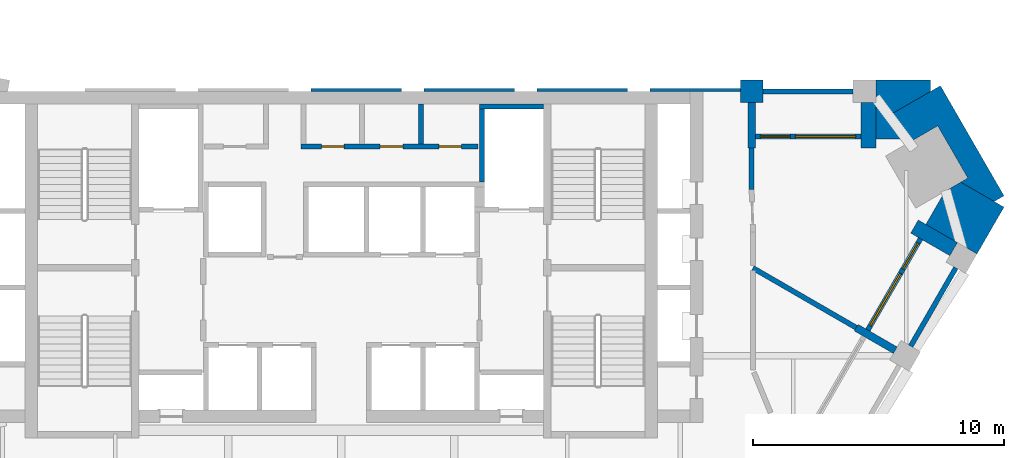
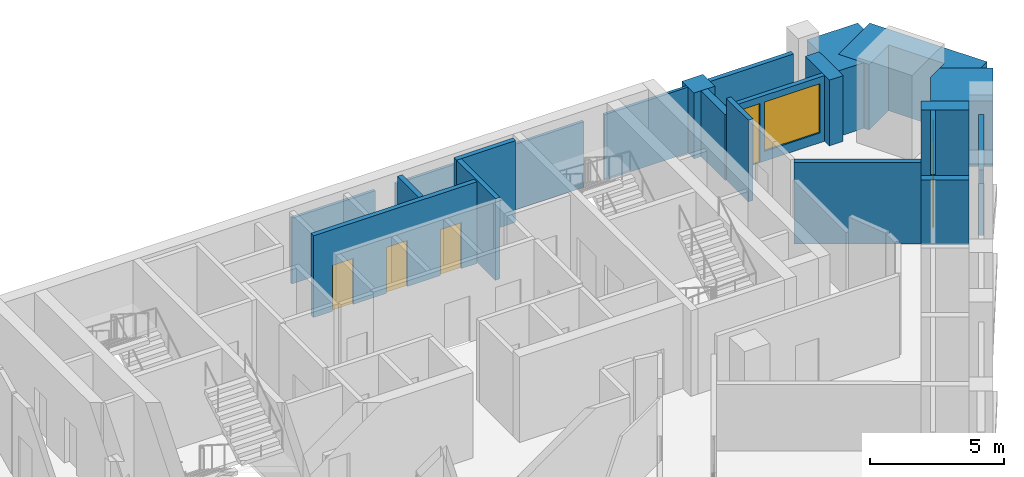
# One storey, part 7 of 9: 22 walls, 5 doors, 2 windows, 7 openings.
"""IFC4 building model written with IfcOpenShell, lengths in metres."""

from ifc_helpers import new_model, si_unit, direction, frame, frame_2d, origin, place, context, subcontext, project, spatial, polyline, rectangle, outline, extrude, material, layer, layer_set, type_object, element, fill, save


model = new_model("IFC4")

# Units and contexts
model_context = context("Model", 3, precision=1e-05, world=origin(), true_north=direction((0.0, 1.0)))
body_context = subcontext(model_context, "Body", "Model", "MODEL_VIEW")
ifc_project = project(units=[si_unit("LENGTHUNIT", "METRE"), si_unit("AREAUNIT", "SQUARE_METRE"), si_unit("VOLUMEUNIT", "CUBIC_METRE"), si_unit("PLANEANGLEUNIT", "RADIAN"), si_unit("MASSUNIT", "GRAM", prefix="KILO")], contexts=[model_context])

# Site, building, storey
site_placement = place(None, origin())
site = spatial("IfcSite", under=ifc_project, at=site_placement, CompositionType="ELEMENT")
building_placement = place(site_placement, origin())
building = spatial("IfcBuilding", under=site, at=building_placement, Name="Calabash Gate Tower", CompositionType="ELEMENT")
storey_placement = place(building_placement, frame((0.0, 0.0, 219.800048828125)))
storey = spatial("IfcBuildingStorey", under=building, at=storey_placement, Name="L52", CompositionType="ELEMENT", Elevation=219.800048828125)

# Walls
ifc_material_1 = material(Name="Terracotta brick masonry, exposed face", Category="masonry")
ifc_layer_1 = layer(ifc_material_1, 2.35009765625)
ifc_layer_set_1 = layer_set([ifc_layer_1], Name="Brick corner mass wall 2350")
wall_type_1 = type_object("IfcWallType", Name="Brick corner mass wall 2350", PredefinedType="SOLIDWALL", material=ifc_layer_set_1)
wall_1_placement = place(storey_placement, origin())
element("IfcWall", 1, at=wall_1_placement, inside=storey, type_object=wall_type_1, Name="Brick corner pier S15 3a", PredefinedType="SOLIDWALL", context=body_context, shape_type="SweptSolid", body=[
    extrude(outline(polyline([(23.288818359375, 13.752685546875), (25.323974609375, 12.57763671875), (26.400390625, 14.442138671875), (24.678466796875, 15.43603515625), (24.052001953125, 15.074462890625), (23.288818359375, 13.752685546875)])), origin(), (0.0, 0.0, 1.0), 3.0),
])
wall_2_placement = place(storey_placement, origin())
element("IfcWall", 2, at=wall_2_placement, inside=storey, type_object=wall_type_1, Name="Brick corner pier S15 3b", PredefinedType="SOLIDWALL", context=body_context, shape_type="SweptSolid", body=[
    extrude(outline(polyline([(23.76025390625, 17.67724609375), (24.960205078125, 15.598876953125), (24.678466796875, 15.43603515625), (26.0107421875, 14.6669921875), (26.400390625, 14.89208984375), (23.868408203125, 19.277587890625), (21.833251953125, 18.1025390625), (22.499267578125, 16.94921875), (23.76025390625, 17.67724609375)])), origin(), (0.0, 0.0, 1.0), 3.0),
])
wall_3_placement = place(storey_placement, origin())
element("IfcWall", 3, at=wall_3_placement, inside=storey, type_object=wall_type_1, Name="Brick corner pier S15 3c", PredefinedType="SOLIDWALL", context=body_context, shape_type="SweptSolid", body=[
    extrude(outline(polyline([(21.2939453125, 18.60302734375), (21.2939453125, 17.152587890625), (22.3818359375, 17.152587890625), (21.833251953125, 18.1025390625), (23.478759765625, 19.052490234375), (23.478759765625, 19.50244140625), (21.2939453125, 19.50244140625), (21.2939453125, 18.60302734375), (21.2939453125, 18.60302734375)])), origin(), (0.0, 0.0, 1.0), 3.0),
])
ifc_material_2 = material(Name="Terracotta brick masonry, exposed face", Category="masonry")
ifc_layer_2 = layer(ifc_material_2, 0.89990234375)
ifc_layer_set_2 = layer_set([ifc_layer_2], Name="Brick end wall 900")
wall_type_2 = type_object("IfcWallType", Name="Brick end wall 900", PredefinedType="SOLIDWALL", material=ifc_layer_set_2)
wall_4_placement = place(storey_placement, origin())
element("IfcWall", 4, at=wall_4_placement, inside=storey, type_object=wall_type_2, Name="Brick pier S15 N4.1", PredefinedType="SOLIDWALL", context=body_context, shape_type="SweptSolid", body=[
    extrude(outline(polyline([(16.7939453125, 19.50244140625), (15.893798828125, 19.50244140625), (15.893798828125, 18.6025390625), (16.7939453125, 18.6025390625), (16.7939453125, 19.50244140625)])), origin(), (0.0, 0.0, 1.0), 3.0),
])
ifc_material_3 = material(Name="Terracotta brick masonry, exposed face", Category="masonry")
ifc_layer_3 = layer(ifc_material_3, 0.300048828125)
ifc_layer_set_3 = layer_set([ifc_layer_3], Name="Brick loggia cheek wall 300")
wall_type_3 = type_object("IfcWallType", Name="Brick loggia cheek wall 300", PredefinedType="SOLIDWALL", material=ifc_layer_set_3)
wall_5_placement = place(storey_placement, frame((22.0693359375, 8.740966796875, 0.0), z_axis=(0.0, 0.0, 1.0), x_axis=(-0.866013897511, 0.50001992892, 0.0)))
element("IfcWall", 5, at=wall_5_placement, inside=storey, type_object=wall_type_3, Name="Loggia cheek S15 SE2.8", PredefinedType="SOLIDWALL", context=body_context, shape_type="SweptSolid", body=[
    extrude(rectangle(XDim=1.7998046875, YDim=0.300048828125, at=frame_2d((0.89990234375, 0.0))), origin(), (0.0, 0.0, 1.0), 2.949951171875),
])
wall_6_placement = place(storey_placement, frame((24.39453125, 12.767822265625, 0.0), z_axis=(0.0, 0.0, 1.0), x_axis=(-0.866047807691, 0.499961193289, 0.0)))
element("IfcWall", 6, at=wall_6_placement, inside=storey, type_object=wall_type_3, Name="Loggia cheek S15 SE2.9", PredefinedType="SOLIDWALL", context=body_context, shape_type="SweptSolid", body=[
    extrude(rectangle(XDim=1.800048828125, YDim=0.60009765625, at=frame_2d((0.89990234375, 0.0))), origin(), (0.0, 0.0, 1.0), 3.0),
])
wall_7_placement = place(storey_placement, origin())
element("IfcWall", 7, at=wall_7_placement, inside=storey, type_object=wall_type_3, Name="Loggia cheek S15 N4.0", PredefinedType="SOLIDWALL", context=body_context, shape_type="SweptSolid", body=[
    extrude(outline(polyline([(21.2939453125, 16.802490234375), (21.2939453125, 18.6025390625), (20.69384765625, 18.6025390625), (20.69384765625, 16.802490234375), (21.2939453125, 16.802490234375)])), origin(), (0.0, 0.0, 1.0), 3.0),
])
wall_8_placement = place(storey_placement, origin())
element("IfcWall", 8, at=wall_8_placement, inside=storey, type_object=wall_type_3, Name="Loggia cheek S15 N4.1", PredefinedType="SOLIDWALL", context=body_context, shape_type="SweptSolid", body=[
    extrude(outline(polyline([(16.19384765625, 18.6025390625), (16.19384765625, 16.802490234375), (16.493896484375, 16.802490234375), (16.493896484375, 18.6025390625), (16.19384765625, 18.6025390625)])), origin(), (0.0, 0.0, 1.0), 3.0),
])
ifc_material_4 = material(Name="Gypsum board on steel studs, mineral wool", Category="steel")
ifc_layer_4 = layer(ifc_material_4, 0.199951171875)
ifc_layer_set_4 = layer_set([ifc_layer_4], Name="Core partition 200 gypsum board")
wall_type_4 = type_object("IfcWallType", Name="Core partition 200 gypsum board", PredefinedType="PARTITIONING", material=ifc_layer_set_4)
wall_9_placement = place(storey_placement, frame((3.166748046875, 16.95263671875, 0.0), z_axis=(0.0, 0.0, 1.0), x_axis=(0.0, 1.0, 0.0)))
element("IfcWall", 9, at=wall_9_placement, inside=storey, type_object=wall_type_4, Name="Core partition", PredefinedType="PARTITIONING", context=body_context, shape_type="SweptSolid", body=[
    extrude(rectangle(XDim=1.599853515625, YDim=0.199951171875, at=frame_2d((0.7998046875, 0.0))), origin(), (0.0, 0.0, 1.0), 3.72998046875),
])
ifc_material_5 = material(Name="Gypsum board on steel studs, mineral wool", Category="steel")
ifc_layer_5 = layer(ifc_material_5, 0.199951171875)
ifc_layer_set_5 = layer_set([ifc_layer_5], Name="Partition 200 gypsum board EI 60")
wall_type_5 = type_object("IfcWallType", Name="Partition 200 gypsum board EI 60", PredefinedType="PARTITIONING", material=ifc_layer_set_5)
wall_10_placement = place(storey_placement, frame((16.400634765625, 12.015869140625, 0.0), z_axis=(0.0, 0.0, 1.0), x_axis=(0.865862597781, -0.500281882306, 0.0)))
element("IfcWall", 10, at=wall_10_placement, inside=storey, type_object=wall_type_5, Name="Partition", PredefinedType="PARTITIONING", context=body_context, shape_type="SweptSolid", body=[
    extrude(rectangle(XDim=4.746826171875, YDim=0.199951171875, at=frame_2d((2.37353515625, 0.0))), origin(), (0.0, 0.0, 1.0), 3.72998046875),
])
wall_11_placement = place(storey_placement, frame((16.344482421875, 15.152587890625, 0.0), z_axis=(0.0, 0.0, 1.0), x_axis=(0.0, 1.0, 0.0)))
element("IfcWall", 11, at=wall_11_placement, inside=storey, type_object=wall_type_5, Name="Partition", PredefinedType="PARTITIONING", context=body_context, shape_type="SweptSolid", body=[
    extrude(rectangle(XDim=1.64990234375, YDim=0.199951171875, at=frame_2d((0.824951171875, 0.0))), origin(), (0.0, 0.0, 1.0), 3.72998046875),
])
ifc_material_6 = material(Name="Concrete C40/50", Category="concrete")
ifc_layer_6 = layer(ifc_material_6, 0.199951171875)
ifc_layer_set_6 = layer_set([ifc_layer_6], Name="Shaft wall 200 Concrete C40/50")
wall_type_6 = type_object("IfcWallType", Name="Shaft wall 200 Concrete C40/50", PredefinedType="SOLIDWALL", material=ifc_layer_set_6)
wall_12_placement = place(storey_placement, frame((5.60009765625, 15.45263671875, 0.0), z_axis=(0.0, 0.0, 1.0), x_axis=(0.0, 1.0, 0.0)))
element("IfcWall", 12, at=wall_12_placement, inside=storey, type_object=wall_type_6, Name="Shaft wall", PredefinedType="SOLIDWALL", context=body_context, shape_type="SweptSolid", body=[
    extrude(rectangle(XDim=2.89990234375, YDim=0.199951171875, at=frame_2d((1.449951171875, 0.0))), origin(), (0.0, 0.0, 1.0), 3.72998046875),
])

# Wall, openings, doors
wall_13_placement = place(storey_placement, frame((-1.60009765625, 16.8525390625, 0.0), z_axis=(0.0, 0.0, 1.0), x_axis=(1.0, 0.0, 0.0)))
wall_13 = element("IfcWall", 13, at=wall_13_placement, inside=storey, type_object=wall_type_6, Name="Shaft wall", PredefinedType="SOLIDWALL", context=body_context, shape_type="SweptSolid", body=[
    extrude(rectangle(XDim=7.050048828125, YDim=0.199951171875, at=frame_2d((3.52490234375, 0.0))), origin(), (0.0, 0.0, 1.0), 3.72998046875),
])
opening_1_placement = place(wall_13_placement, frame((0.816650390625, 0.0, 0.0)))
opening_1 = element("IfcOpeningElement", 14, at=opening_1_placement, cuts=wall_13, Name="Opening O7-013", PredefinedType="OPENING", context=body_context, shape_type="SweptSolid", body=[
    extrude(rectangle(XDim=0.89990234375, YDim=2.10009765625, at=frame_2d((0.449951171875, 1.050048828125))), frame((0.0, 0.10986328125, 0.0), z_axis=(0.0, -1.0, 0.0), x_axis=(1.0, 0.0, 0.0)), (0.0, 0.0, 1.0), 0.219970703125),
])
opening_2_placement = place(wall_13_placement, frame((3.14990234375, 0.0, 0.0)))
opening_2 = element("IfcOpeningElement", 15, at=opening_2_placement, cuts=wall_13, Name="Opening O7-014", PredefinedType="OPENING", context=body_context, shape_type="SweptSolid", body=[
    extrude(rectangle(XDim=0.89990234375, YDim=2.10009765625, at=frame_2d((0.449951171875, 1.050048828125))), frame((0.0, 0.10986328125, 0.0), z_axis=(0.0, -1.0, 0.0), x_axis=(1.0, 0.0, 0.0)), (0.0, 0.0, 1.0), 0.219970703125),
])
opening_3_placement = place(wall_13_placement, frame((5.4833984375, 0.0, 0.0)))
opening_3 = element("IfcOpeningElement", 16, at=opening_3_placement, cuts=wall_13, Name="Opening O7-015", PredefinedType="OPENING", context=body_context, shape_type="SweptSolid", body=[
    extrude(rectangle(XDim=0.89990234375, YDim=2.10009765625, at=frame_2d((0.449951171875, 1.050048828125))), frame((0.0, 0.10986328125, 0.0), z_axis=(0.0, -1.0, 0.0), x_axis=(1.0, 0.0, 0.0)), (0.0, 0.0, 1.0), 0.219970703125),
])
ifc_material_7 = material(Name="Steel fire door set with fire-resisting glazing", Category="steel")
door_type_1 = type_object("IfcDoorType", Name="Fire door D06 900x2100 FD60", OperationType="NOTDEFINED", PredefinedType="DOOR", material=ifc_material_7)
door_1_placement = place(opening_1_placement, origin())
door_1 = element("IfcDoor", 17, at=door_1_placement, inside=storey, type_object=door_type_1, Name="Cleaner's Store door", OperationType="SINGLE_SWING_LEFT", OverallHeight=2.10009765625, OverallWidth=0.89990234375, PredefinedType="DOOR", context=body_context, shape_type="SweptSolid", body=[
    extrude(rectangle(XDim=0.89990234375, YDim=2.10009765625, at=frame_2d((0.449951171875, 1.050048828125))), frame((0.0, 0.02490234375, 0.0), z_axis=(0.0, -1.0, 0.0), x_axis=(1.0, 0.0, 0.0)), (0.0, 0.0, 1.0), 0.050048828125),
])
fill(opening_1, door_1)
door_2_placement = place(opening_2_placement, origin())
door_2 = element("IfcDoor", 18, at=door_2_placement, inside=storey, type_object=door_type_1, Name="Tenant Pantry door", OperationType="SINGLE_SWING_LEFT", OverallHeight=2.10009765625, OverallWidth=0.89990234375, PredefinedType="DOOR", context=body_context, shape_type="SweptSolid", body=[
    extrude(rectangle(XDim=0.89990234375, YDim=2.10009765625, at=frame_2d((0.449951171875, 1.050048828125))), frame((0.0, 0.02490234375, 0.0), z_axis=(0.0, -1.0, 0.0), x_axis=(1.0, 0.0, 0.0)), (0.0, 0.0, 1.0), 0.050048828125),
])
fill(opening_2, door_2)
door_3_placement = place(opening_3_placement, origin())
door_3 = element("IfcDoor", 19, at=door_3_placement, inside=storey, type_object=door_type_1, Name="Print Room door", OperationType="SINGLE_SWING_RIGHT", OverallHeight=2.10009765625, OverallWidth=0.89990234375, PredefinedType="DOOR", context=body_context, shape_type="SweptSolid", body=[
    extrude(rectangle(XDim=0.89990234375, YDim=2.10009765625, at=frame_2d((0.449951171875, 1.050048828125))), frame((0.0, 0.02490234375, 0.0), z_axis=(0.0, -1.0, 0.0), x_axis=(1.0, 0.0, 0.0)), (0.0, 0.0, 1.0), 0.050048828125),
])
fill(opening_3, door_3)

# Walls
wall_14_placement = place(storey_placement, frame((5.5, 18.45263671875, 0.0), z_axis=(0.0, 0.0, 1.0), x_axis=(1.0, 0.0, 0.0)))
element("IfcWall", 20, at=wall_14_placement, inside=storey, type_object=wall_type_6, Name="Shaft wall", PredefinedType="SOLIDWALL", context=body_context, shape_type="SweptSolid", body=[
    extrude(rectangle(XDim=2.550048828125, YDim=0.199951171875, at=frame_2d((1.27490234375, 0.0))), origin(), (0.0, 0.0, 1.0), 3.72998046875),
])
ifc_material_8 = material(Name="Terracotta brick masonry, perforated", Category="masonry")
ifc_layer_7 = layer(ifc_material_8, 0.1201171875)
ifc_layer_set_7 = layer_set([ifc_layer_7], Name="Terracotta jaali cladding A 120")
wall_type_7 = type_object("IfcWallType", Name="Terracotta jaali cladding A 120", PredefinedType="SOLIDWALL", material=ifc_layer_set_7)
wall_15_placement = place(storey_placement, origin())
element("IfcWall", 21, at=wall_15_placement, inside=storey, type_object=wall_type_7, Name="Jaali cladding S15 N4.3", PredefinedType="SOLIDWALL", context=body_context, shape_type="SweptSolid", body=[
    extrude(outline(polyline([(7.7939453125, 19.172607421875), (7.7939453125, 19.052490234375), (11.393798828125, 19.052490234375), (11.393798828125, 19.172607421875), (7.7939453125, 19.172607421875)])), origin(), (0.0, 0.0, 1.0), 3.0),
])
wall_16_placement = place(storey_placement, origin())
element("IfcWall", 22, at=wall_16_placement, inside=storey, type_object=wall_type_7, Name="Jaali cladding S15 N4.5", PredefinedType="SOLIDWALL", context=body_context, shape_type="SweptSolid", body=[
    extrude(outline(polyline([(-1.2060546875, 19.172607421875), (-1.2060546875, 19.052490234375), (2.393798828125, 19.052490234375), (2.393798828125, 19.172607421875), (-1.2060546875, 19.172607421875)])), origin(), (0.0, 0.0, 1.0), 3.0),
])
ifc_material_9 = material(Name="Terracotta brick masonry, perforated", Category="masonry")
ifc_layer_8 = layer(ifc_material_9, 0.199951171875)
ifc_layer_set_8 = layer_set([ifc_layer_8], Name="Terracotta jaali screen A")
wall_type_8 = type_object("IfcWallType", Name="Terracotta jaali screen A", PredefinedType="SOLIDWALL", material=ifc_layer_set_8)
wall_17_placement = place(storey_placement, frame((22.684326171875, 8.905517578125, 0.0), z_axis=(0.0, 0.0, 1.0), x_axis=(0.500012057535, 0.866018442252, 0.0)))
element("IfcWall", 23, at=wall_17_placement, inside=storey, type_object=wall_type_8, Name="SCREEN A S15 SE2.9", PredefinedType="SOLIDWALL", context=body_context, shape_type="SweptSolid", body=[
    extrude(rectangle(XDim=3.60009765625, YDim=0.199951171875, at=frame_2d((1.800048828125, 0.0))), origin(), (0.0, 0.0, 1.0), 3.0),
])
wall_18_placement = place(storey_placement, frame((20.393798828125, 19.052490234375, 0.0), z_axis=(0.0, 0.0, 1.0), x_axis=(-1.0, 0.0, 0.0)))
element("IfcWall", 24, at=wall_18_placement, inside=storey, type_object=wall_type_8, Name="SCREEN A S15 N4.1", PredefinedType="SOLIDWALL", context=body_context, shape_type="SweptSolid", body=[
    extrude(rectangle(XDim=3.599853515625, YDim=0.199951171875, at=frame_2d((1.7998046875, 0.0))), origin(), (0.0, 0.0, 1.0), 3.0),
])
ifc_material_10 = material(Name="Terracotta louvre blades in an aluminium frame", Category="masonry")
ifc_layer_9 = layer(ifc_material_10, 0.1201171875)
ifc_layer_set_9 = layer_set([ifc_layer_9], Name="Terracotta vent louvre cladding 120")
wall_type_9 = type_object("IfcWallType", Name="Terracotta vent louvre cladding 120", PredefinedType="ELEMENTEDWALL", material=ifc_layer_set_9)
wall_19_placement = place(storey_placement, origin())
element("IfcWall", 25, at=wall_19_placement, inside=storey, type_object=wall_type_9, Name="Vent louvre cladding S15 N4.2", PredefinedType="ELEMENTEDWALL", context=body_context, shape_type="SweptSolid", body=[
    extrude(outline(polyline([(12.2939453125, 19.172607421875), (12.2939453125, 19.052490234375), (15.893310546875, 19.052490234375), (15.893310546875, 19.172607421875), (12.2939453125, 19.172607421875)])), origin(), (0.0, 0.0, 1.0), 3.0),
])
wall_20_placement = place(storey_placement, origin())
element("IfcWall", 26, at=wall_20_placement, inside=storey, type_object=wall_type_9, Name="Vent louvre cladding S15 N4.4", PredefinedType="ELEMENTEDWALL", context=body_context, shape_type="SweptSolid", body=[
    extrude(outline(polyline([(3.2939453125, 19.172607421875), (3.2939453125, 19.052490234375), (6.893798828125, 19.052490234375), (6.893798828125, 19.172607421875), (3.2939453125, 19.172607421875)])), origin(), (0.0, 0.0, 1.0), 3.0),
])

# Wall, openings, door, window
ifc_material_11 = material(Name="Aluminium framed window wall with insulated spandrel", Category="aluminium")
ifc_layer_10 = layer(ifc_material_11, 0.199951171875)
ifc_layer_set_10 = layer_set([ifc_layer_10], Name="Window wall 200")
wall_type_10 = type_object("IfcWallType", Name="Window wall 200", PredefinedType="ELEMENTEDWALL", material=ifc_layer_set_10)
wall_21_placement = place(storey_placement, frame((20.975341796875, 9.545654296875, 0.0), z_axis=(0.0, 0.0, 1.0), x_axis=(0.500002543286, 0.866023935413, 0.0)))
wall_21 = element("IfcWall", 27, at=wall_21_placement, inside=storey, type_object=wall_type_10, Name="Window wall S15 SE2.9", PredefinedType="ELEMENTEDWALL", context=body_context, shape_type="SweptSolid", body=[
    extrude(rectangle(XDim=4.2001953125, YDim=0.199951171875, at=frame_2d((2.10009765625, 0.0))), origin(), (0.0, 0.0, 1.0), 3.0),
])
opening_4_placement = place(wall_21_placement, frame((0.199951171875, 0.0, 0.449951171875)))
opening_4 = element("IfcOpeningElement", 28, at=opening_4_placement, cuts=wall_21, Name="Opening OW1", PredefinedType="OPENING", context=body_context, shape_type="SweptSolid", body=[
    extrude(rectangle(XDim=2.39990234375, YDim=2.25, at=frame_2d((1.199951171875, 1.125))), frame((0.0, 0.10986328125, 0.0), z_axis=(0.0, -1.0, 0.0), x_axis=(1.0, 0.0, 0.0)), (0.0, 0.0, 1.0), 0.219970703125),
])
opening_5_placement = place(wall_21_placement, frame((2.800048828125, 0.0, 0.0)))
opening_5 = element("IfcOpeningElement", 29, at=opening_5_placement, cuts=wall_21, Name="Opening O7-024", PredefinedType="OPENING", context=body_context, shape_type="SweptSolid", body=[
    extrude(rectangle(XDim=1.199951171875, YDim=2.699951171875, at=frame_2d((0.60009765625, 1.35009765625))), frame((0.0, 0.10986328125, 0.0), z_axis=(0.0, -1.0, 0.0), x_axis=(1.0, 0.0, 0.0)), (0.0, 0.0, 1.0), 0.219970703125),
])
ifc_material_12 = material(Name="Anodised aluminium frame, bronze finish, impact-rated laminated clear glazing", Category="aluminium")
door_type_2 = type_object("IfcDoorType", Name="Loggia door DO1 1200x2700", OperationType="SLIDING_TO_LEFT", PredefinedType="DOOR", material=ifc_material_12)
door_4_placement = place(opening_5_placement, origin())
door_4 = element("IfcDoor", 30, at=door_4_placement, inside=storey, type_object=door_type_2, Name="Loggia door S15 SE2.9", OperationType="SINGLE_SWING_LEFT", OverallHeight=2.699951171875, OverallWidth=1.199951171875, PredefinedType="DOOR", context=body_context, shape_type="SweptSolid", body=[
    extrude(rectangle(XDim=1.199951171875, YDim=2.699951171875, at=frame_2d((0.60009765625, 1.35009765625))), frame((0.0, 0.02490234375, 0.0), z_axis=(0.0, -1.0, 0.0), x_axis=(1.0, 0.0, 0.0)), (0.0, 0.0, 1.0), 0.050048828125),
])
fill(opening_5, door_4)
ifc_material_13 = material(Name="Anodised aluminium frame, bronze finish, impact-rated laminated clear glazing", Category="aluminium")
window_type = type_object("IfcWindowType", Name="Window OW1 2400x2250", PartitioningType="DOUBLE_PANEL_VERTICAL", PredefinedType="WINDOW", material=ifc_material_13)
window_1_placement = place(opening_4_placement, origin())
window_1 = element("IfcWindow", 31, at=window_1_placement, inside=storey, type_object=window_type, Name="Window OW1 S15 SE2.9", OverallHeight=2.25, OverallWidth=2.39990234375, PartitioningType="SINGLE_PANEL", PredefinedType="WINDOW", context=body_context, shape_type="SweptSolid", body=[
    extrude(rectangle(XDim=2.39990234375, YDim=2.25, at=frame_2d((1.199951171875, 1.125))), frame((0.0, 0.030029296875, 0.0), z_axis=(0.0, -1.0, 0.0), x_axis=(1.0, 0.0, 0.0)), (0.0, 0.0, 1.0), 0.06005859375),
])
fill(opening_4, window_1)

wall_22_placement = place(storey_placement, frame((20.69384765625, 17.25244140625, 0.0), z_axis=(0.0, 0.0, 1.0), x_axis=(-1.0, 0.0, 0.0)))
wall_22 = element("IfcWall", 32, at=wall_22_placement, inside=storey, type_object=wall_type_10, Name="Window wall S15 N4.1", PredefinedType="ELEMENTEDWALL", context=body_context, shape_type="SweptSolid", body=[
    extrude(rectangle(XDim=4.199951171875, YDim=0.199951171875, at=frame_2d((2.10009765625, 0.0))), origin(), (0.0, 0.0, 1.0), 3.0),
])
opening_6_placement = place(wall_22_placement, frame((0.199951171875, 0.0, 0.449951171875)))
opening_6 = element("IfcOpeningElement", 33, at=opening_6_placement, cuts=wall_22, Name="Opening OW1", PredefinedType="OPENING", context=body_context, shape_type="SweptSolid", body=[
    extrude(rectangle(XDim=2.39990234375, YDim=2.25, at=frame_2d((1.199951171875, 1.125))), frame((0.0, 0.10986328125, 0.0), z_axis=(0.0, -1.0, 0.0), x_axis=(1.0, 0.0, 0.0)), (0.0, 0.0, 1.0), 0.219970703125),
])
opening_7_placement = place(wall_22_placement, frame((2.800048828125, 0.0, 0.0)))
opening_7 = element("IfcOpeningElement", 34, at=opening_7_placement, cuts=wall_22, Name="Opening O7-022", PredefinedType="OPENING", context=body_context, shape_type="SweptSolid", body=[
    extrude(rectangle(XDim=1.199951171875, YDim=2.699951171875, at=frame_2d((0.60009765625, 1.35009765625))), frame((0.0, 0.10986328125, 0.0), z_axis=(0.0, -1.0, 0.0), x_axis=(1.0, 0.0, 0.0)), (0.0, 0.0, 1.0), 0.219970703125),
])
door_5_placement = place(opening_7_placement, origin())
door_5 = element("IfcDoor", 35, at=door_5_placement, inside=storey, type_object=door_type_2, Name="Loggia door S15 N4.1", OperationType="SINGLE_SWING_LEFT", OverallHeight=2.699951171875, OverallWidth=1.199951171875, PredefinedType="DOOR", context=body_context, shape_type="SweptSolid", body=[
    extrude(rectangle(XDim=1.199951171875, YDim=2.699951171875, at=frame_2d((0.60009765625, 1.35009765625))), frame((0.0, 0.02490234375, 0.0), z_axis=(0.0, -1.0, 0.0), x_axis=(1.0, 0.0, 0.0)), (0.0, 0.0, 1.0), 0.050048828125),
])
fill(opening_7, door_5)
window_2_placement = place(opening_6_placement, origin())
window_2 = element("IfcWindow", 36, at=window_2_placement, inside=storey, type_object=window_type, Name="Window OW1 S15 N4.1", OverallHeight=2.25, OverallWidth=2.39990234375, PartitioningType="SINGLE_PANEL", PredefinedType="WINDOW", context=body_context, shape_type="SweptSolid", body=[
    extrude(rectangle(XDim=2.39990234375, YDim=2.25, at=frame_2d((1.199951171875, 1.125))), frame((0.0, 0.030029296875, 0.0), z_axis=(0.0, -1.0, 0.0), x_axis=(1.0, 0.0, 0.0)), (0.0, 0.0, 1.0), 0.06005859375),
])
fill(opening_6, window_2)

save(model, "model.ifc")
